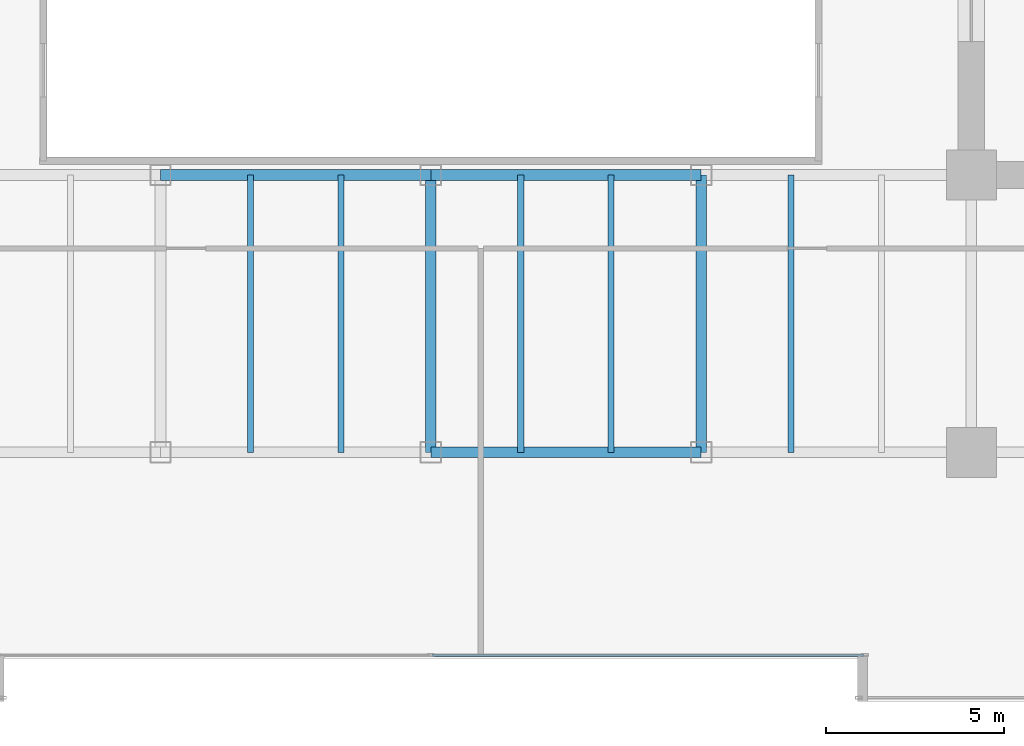
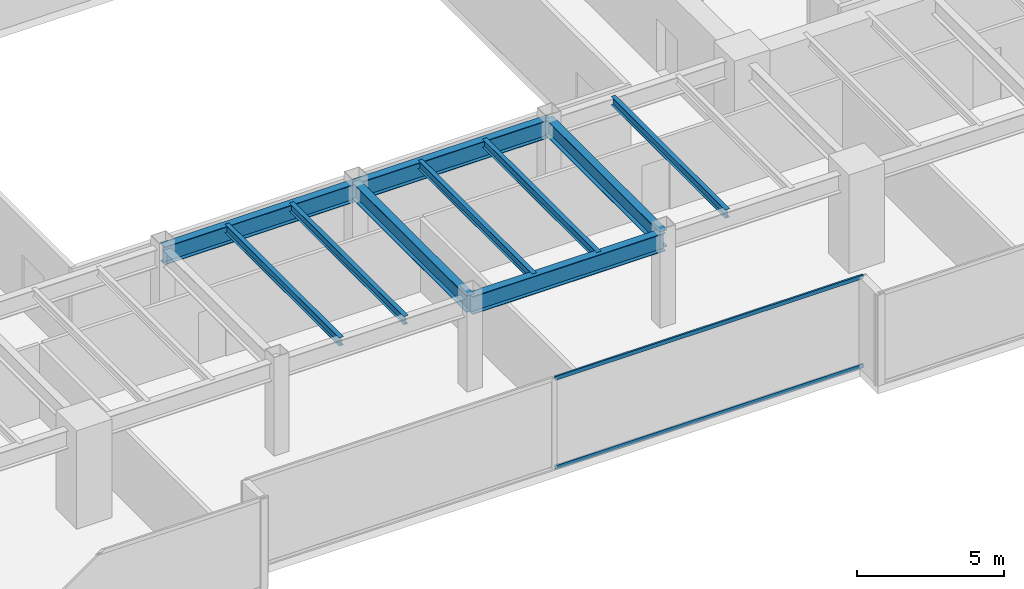
# One storey, part 9 of 35: 10 beams, 2 members, 1 element without a shape of its own.
"""IFC4 building model written with IfcOpenShell, lengths in metres."""

from ifc_helpers import new_model, si_unit, direction, frame, origin, origin_2d, place, context, subcontext, project, spatial, hollow_rectangle, i_section, extrude, source, transform, mapped, material, layer, layer_set, material_profile, profile_set, type_object, type_shapes, element, aggregate, save


model = new_model("IFC4")

# Units and contexts
model_context = context("Model", 3, precision=1e-05, world=origin(), true_north=direction((0.0, 1.0)))
body_context = subcontext(model_context, "Body", "Model", "MODEL_VIEW")
ifc_project = project(units=[si_unit("LENGTHUNIT", "METRE"), si_unit("AREAUNIT", "SQUARE_METRE"), si_unit("VOLUMEUNIT", "CUBIC_METRE"), si_unit("PLANEANGLEUNIT", "RADIAN"), si_unit("MASSUNIT", "GRAM", prefix="KILO")], contexts=[model_context])

# Site, building, storey
site_placement = place(None, origin())
site = spatial("IfcSite", under=ifc_project, at=site_placement, CompositionType="ELEMENT")
building_placement = place(site_placement, origin())
building = spatial("IfcBuilding", under=site, at=building_placement, Name="Haelvirn Gate Laboratories", CompositionType="ELEMENT")
storey_placement = place(building_placement, frame((0.0, 0.0, 41.60009765625)))
storey = spatial("IfcBuildingStorey", under=building, at=storey_placement, Name="L10", CompositionType="ELEMENT", Elevation=41.60009765625)

# Beams
ifc_material_1 = material(Name="Steel SM355", Category="steel")
ifc_material_profile_1 = material_profile(ifc_material_1, i_section(OverallWidth=0.300048828125, OverallDepth=0.699951171875, WebThickness=0.012939453125, FlangeThickness=0.02392578125, at=origin_2d()), Name="H-700x300x13x24")
ifc_profile_set_1 = profile_set([ifc_material_profile_1], Name="Steel SM355")
beam_type_1 = type_object("IfcBeamType", Name="BM-G-700", PredefinedType="BEAM", material=ifc_profile_set_1)
shared_shape_1 = source(origin(), body_context, "Body", "SweptSolid", [
    extrude(i_section(OverallWidth=0.300048828125, OverallDepth=0.699951171875, WebThickness=0.012939453125, FlangeThickness=0.02392578125, at=origin_2d()), origin(), (0.0, 0.0, 1.0), 7.800048828125),
])
type_shapes(beam_type_1, [shared_shape_1])
for number, where, z_axis, x_axis, name in (
    (1, (37.39990234375, 7.0, 3.429931640625), (0.0, 1.0, 0.0), (-1.0, 0.0, 0.0), "L10 Frame Girder X37.4 (7.0-14.8)"),
    (2, (45.0, 7.0, 3.429931640625), (0.0, 1.0, 0.0), (-1.0, 0.0, 0.0), "L10 Frame Girder X45.0 (7.0-14.8)"),
):
    element("IfcBeam", number, at=place(storey_placement, frame(where, z_axis=z_axis, x_axis=x_axis)), inside=storey, type_object=beam_type_1, Name=name, PredefinedType="BEAM", context=body_context, shape_type="MappedRepresentation", body=[
        mapped(shared_shape_1, transform((0.0, 0.0, 0.0), scale=1.0)),
    ])
ifc_material_profile_2 = material_profile(ifc_material_1, i_section(OverallWidth=0.300048828125, OverallDepth=0.75, WebThickness=0.013916015625, FlangeThickness=0.02392578125, at=origin_2d()), Name="H-750x300x14x24")
ifc_profile_set_2 = profile_set([ifc_material_profile_2], Name="Steel SM355")
beam_type_2 = type_object("IfcBeamType", Name="BM-G-750", PredefinedType="BEAM", material=ifc_profile_set_2)
shared_shape_2 = source(origin(), body_context, "Body", "SweptSolid", [
    extrude(i_section(OverallWidth=0.300048828125, OverallDepth=0.75, WebThickness=0.013916015625, FlangeThickness=0.02392578125, at=origin_2d()), origin(), (0.0, 0.0, 1.0), 7.60009765625),
])
for number, where, z_axis, x_axis, name in (
    (3, (37.39990234375, 7.0, 3.40478515625), (1.0, 0.0, 0.0), (0.0, 1.0, 0.0), "L10 Primary Girder Y7.0 (37.4-45.0)"),
    (4, (37.39990234375, 14.800048828125, 3.40478515625), (1.0, 0.0, 0.0), (0.0, 1.0, 0.0), "L10 Primary Girder Y14.8 (37.4-45.0)"),
):
    element("IfcBeam", number, at=place(storey_placement, frame(where, z_axis=z_axis, x_axis=x_axis)), inside=storey, type_object=beam_type_2, Name=name, PredefinedType="BEAM", context=body_context, shape_type="MappedRepresentation", body=[
        mapped(shared_shape_2, transform((0.0, 0.0, 0.0), scale=1.0)),
    ])
shared_shape_3 = source(origin(), body_context, "Body", "SweptSolid", [
    extrude(i_section(OverallWidth=0.300048828125, OverallDepth=0.75, WebThickness=0.013916015625, FlangeThickness=0.02392578125, at=origin_2d()), origin(), (0.0, 0.0, 1.0), 7.599853515625),
])
type_shapes(beam_type_2, [shared_shape_2, shared_shape_3])
beam_placement = place(storey_placement, frame((29.800048828125, 14.800048828125, 3.40478515625), z_axis=(1.0, 0.0, 0.0), x_axis=(0.0, 1.0, 0.0)))
element("IfcBeam", 5, at=beam_placement, inside=storey, type_object=beam_type_2, Name="L10 Primary Girder Y14.8 (29.8-37.4)", PredefinedType="BEAM", context=body_context, shape_type="MappedRepresentation", body=[
    mapped(shared_shape_3, transform((0.0, 0.0, 0.0), scale=1.0)),
])
ifc_material_profile_3 = material_profile(ifc_material_1, i_section(OverallWidth=0.175048828125, OverallDepth=0.35009765625, WebThickness=0.007080078125, FlangeThickness=0.010986328125, at=origin_2d()), Name="H-350x175x7x11")
ifc_profile_set_3 = profile_set([ifc_material_profile_3], Name="Steel SM355")
beam_type_3 = type_object("IfcBeamType", Name="BM-J-350", PredefinedType="JOIST", material=ifc_profile_set_3)
shared_shape_4 = source(origin(), body_context, "Body", "SweptSolid", [
    extrude(i_section(OverallWidth=0.175048828125, OverallDepth=0.35009765625, WebThickness=0.007080078125, FlangeThickness=0.010986328125, at=origin_2d()), origin(), (0.0, 0.0, 1.0), 7.800048828125),
])
type_shapes(beam_type_3, [shared_shape_4])
for number, where, z_axis, x_axis, name in (
    (6, (32.330078125, 7.0, 3.60498046875), (0.0, 1.0, 0.0), (-1.0, 0.0, 0.0), "L10 Composite Lab Joist South X32.33"),
    (7, (34.8701171875, 7.0, 3.60498046875), (0.0, 1.0, 0.0), (-1.0, 0.0, 0.0), "L10 Composite Lab Joist South X34.87"),
    (8, (39.929931640625, 7.0, 3.60498046875), (0.0, 1.0, 0.0), (-1.0, 0.0, 0.0), "L10 Composite Lab Joist South X39.93"),
    (9, (42.469970703125, 7.0, 3.60498046875), (0.0, 1.0, 0.0), (-1.0, 0.0, 0.0), "L10 Composite Lab Joist South X42.47"),
    (10, (47.530029296875, 7.0, 3.60498046875), (0.0, 1.0, 0.0), (-1.0, 0.0, 0.0), "L10 Composite Lab Joist South X47.53"),
):
    element("IfcBeam", number, at=place(storey_placement, frame(where, z_axis=z_axis, x_axis=x_axis)), inside=storey, type_object=beam_type_3, Name=name, PredefinedType="JOIST", context=body_context, shape_type="MappedRepresentation", body=[
        mapped(shared_shape_4, transform((0.0, 0.0, 0.0), scale=1.0)),
    ])

# Curtain wall, members
ifc_material_2 = material(Name="Anodised bronze unitised aluminium & triple low-E glass", Category="aluminium")
ifc_layer = layer(ifc_material_2, 0.18408203125, Name="CW-SYS-2")
ifc_layer_set = layer_set([ifc_layer], Name="Anodised bronze unitised aluminium & triple low-E glass")
curtain_wall_type = type_object("IfcCurtainWallType", Name="CW-SYS-2", PredefinedType="NOTDEFINED", material=ifc_layer_set)
curtain_wall_placement = place(storey_placement, origin())
curtain_wall = element("IfcCurtainWall", 11, at=curtain_wall_placement, inside=storey, type_object=curtain_wall_type, Name="L10 Unitised Curtain Wall CW-L10-P0-E02-1", PredefinedType="NOTDEFINED")
ifc_material_3 = material(Name="Extruded aluminium 6063-T6 (anodised bronze)", Category="aluminium")
ifc_material_profile_4 = material_profile(ifc_material_3, hollow_rectangle(XDim=0.070068359375, YDim=0.159912109375, WallThickness=0.0048828125, at=origin_2d()), Name="CWT-160x70x5")
ifc_profile_set_4 = profile_set([ifc_material_profile_4], Name="Extruded aluminium 6063-T6 (anodised bronze)")
member_type = type_object("IfcMemberType", Name="CWT-T160", PredefinedType="USERDEFINED", material=ifc_profile_set_4)
shared_shape_5 = source(origin(), body_context, "Body", "SweptSolid", [
    extrude(hollow_rectangle(XDim=0.070068359375, YDim=0.159912109375, WallThickness=0.0048828125, at=origin_2d()), origin(), (0.0, 0.0, 1.0), 12.12744140625),
])
type_shapes(member_type, [shared_shape_5])
member_1_placement = place(storey_placement, frame((37.4375, 1.300048828125, 0.034912109375), z_axis=(1.0, 0.0, 0.0), x_axis=(0.0, 1.0, 0.0)))
member_1 = element("IfcMember", 12, at=member_1_placement, type_object=member_type, Name="CW2 transom 2.1", ObjectType="TRANSOM", PredefinedType="USERDEFINED", context=body_context, shape_type="MappedRepresentation", body=[
    mapped(shared_shape_5, transform((0.0, 0.0, 0.0), scale=1.0)),
])
member_2_placement = place(storey_placement, frame((37.4375, 1.300048828125, 3.744873046875), z_axis=(1.0, 0.0, 0.0), x_axis=(0.0, 1.0, 0.0)))
member_2 = element("IfcMember", 13, at=member_2_placement, type_object=member_type, Name="CW2 transom 2.2", ObjectType="TRANSOM", PredefinedType="USERDEFINED", context=body_context, shape_type="MappedRepresentation", body=[
    mapped(shared_shape_5, transform((0.0, 0.0, 0.0), scale=1.0)),
])
aggregate(curtain_wall, [member_1, member_2])

save(model, "model.ifc")
